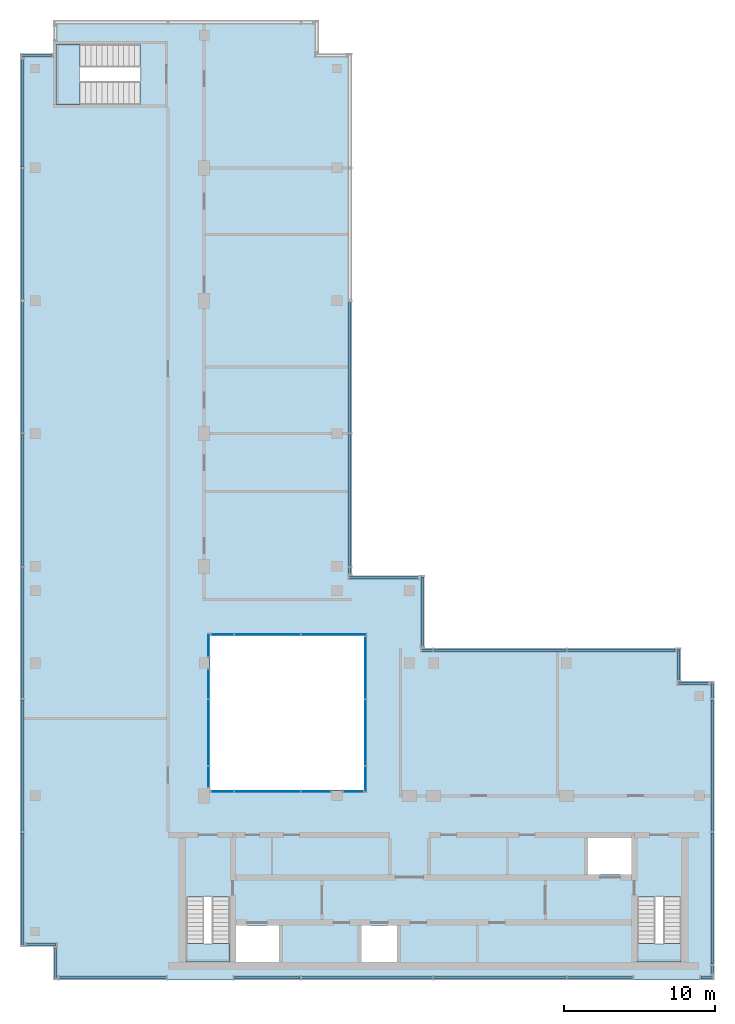
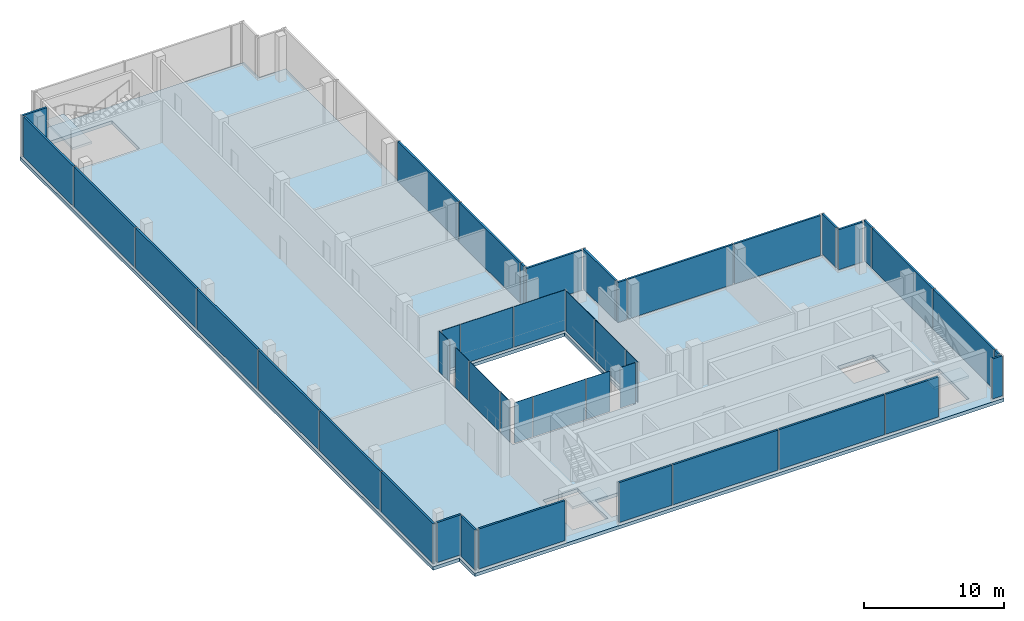
# One storey, part 7 of 11: 44 plates, 4 slabs, 23 elements without a shape of their own.
"""IFC4 building model written with IfcOpenShell, lengths in metres."""

from ifc_helpers import new_model, si_unit, direction, frame, origin, origin_2d, place, context, subcontext, project, spatial, polyline, rectangle, outline, extrude, source, transform, mapped, material, layer, layer_set, type_object, element, aggregate, save


model = new_model("IFC4")

# Units and contexts
model_context = context("Model", 3, precision=1e-05, world=origin(), true_north=direction((0.0, 1.0)))
body_context = subcontext(model_context, "Body", "Model", "MODEL_VIEW")
ifc_project = project(units=[si_unit("LENGTHUNIT", "METRE"), si_unit("AREAUNIT", "SQUARE_METRE"), si_unit("VOLUMEUNIT", "CUBIC_METRE"), si_unit("PLANEANGLEUNIT", "RADIAN"), si_unit("MASSUNIT", "GRAM", prefix="KILO")], contexts=[model_context])

# Site, building, storey
site_placement = place(None, origin())
site = spatial("IfcSite", under=ifc_project, at=site_placement, CompositionType="ELEMENT")
building_placement = place(site_placement, origin())
building = spatial("IfcBuilding", under=site, at=building_placement, Name="Kemantara Hotel Tower", CompositionType="ELEMENT")
storey_placement = place(building_placement, frame((0.0, 0.0, 326.199951171875)))
storey = spatial("IfcBuildingStorey", under=building, at=storey_placement, Name="L82", CompositionType="ELEMENT", Elevation=326.199951171875)

# Slab
ifc_material_1 = material(Name="Concrete fc 40 MPa", Category="concrete")
ifc_layer_1 = layer(ifc_material_1, 0.300048828125)
ifc_layer_set_1 = layer_set([ifc_layer_1], Name="Concrete fc 40 MPa")
slab_type_1 = type_object("IfcSlabType", Name="POST-TENSIONED FLAT PLATE 300", PredefinedType="FLOOR", material=ifc_layer_set_1)
slab_1_placement = place(storey_placement, frame((0.0, 0.0, -0.300048828125)))
element("IfcSlab", 1, at=slab_1_placement, inside=storey, type_object=slab_type_1, Name="FLOOR SLAB L82", PredefinedType="FLOOR", context=body_context, shape_type="SweptSolid", body=[
    extrude(outline(polyline([(22.0, 26.800048828125), (22.0, 61.39990234375), (19.800048828125, 61.39990234375), (19.800048828125, 63.60009765625), (2.199951171875, 63.60009765625), (2.199951171875, 61.39990234375), (0.0, 61.39990234375), (0.0, 2.199951171875), (2.199951171875, 2.199951171875), (2.199951171875, 0.0), (46.0, 0.0), (46.0, 19.800048828125), (43.800048828125, 19.800048828125), (43.800048828125, 22.0), (26.800048828125, 22.0), (26.800048828125, 26.800048828125), (22.0, 26.800048828125)]), holes=[polyline([(14.22509765625, 3.60009765625), (17.175048828125, 3.60009765625), (17.175048828125, 1.199951171875), (14.22509765625, 1.199951171875), (14.22509765625, 3.60009765625)]), polyline([(24.97509765625, 3.60009765625), (24.97509765625, 1.199951171875), (22.625, 1.199951171875), (22.625, 3.60009765625), (24.97509765625, 3.60009765625)]), polyline([(13.89990234375, 1.199951171875), (11.0, 1.199951171875), (11.0, 5.49951171875), (13.89990234375, 5.49951171875), (13.89990234375, 1.199951171875)]), polyline([(43.800048828125, 1.199951171875), (40.89990234375, 1.199951171875), (40.89990234375, 5.49951171875), (43.800048828125, 5.49951171875), (43.800048828125, 1.199951171875)]), polyline([(40.574951171875, 9.39990234375), (40.574951171875, 7.0), (37.625, 7.0), (37.625, 9.39990234375), (40.574951171875, 9.39990234375)]), polyline([(22.800048828125, 22.800048828125), (22.800048828125, 12.60009765625), (12.60009765625, 12.60009765625), (12.60009765625, 22.800048828125), (22.800048828125, 22.800048828125)]), polyline([(2.39990234375, 58.0), (2.39990234375, 62.0), (7.949462890625, 62.0), (7.949462890625, 58.0), (2.39990234375, 58.0)])]), origin(), (0.0, 0.0, 1.0), 0.300048828125),
])

# Stair, slab
stair_type_1 = type_object("IfcStairType", Name="Stair 1200 wide 24 risers of 167 x 280 mm", PredefinedType="HALF_TURN_STAIR", material=ifc_material_1)
stair_1_placement = place(storey_placement, origin())
stair_1 = element("IfcStair", 2, at=stair_1_placement, inside=storey, type_object=stair_type_1, Name="L82 Exit stair ST1", PredefinedType="HALF_TURN_STAIR")
ifc_layer_2 = layer(ifc_material_1, 0.199951171875)
ifc_layer_set_2 = layer_set([ifc_layer_2], Name="Concrete fc 40 MPa")
slab_type_2 = type_object("IfcSlabType", Name="Stair landing 200 mm", PredefinedType="LANDING", material=ifc_layer_set_2)
slab_2_placement = place(storey_placement, frame((0.0, 0.0, 1.800048828125)))
slab_2 = element("IfcSlab", 3, at=slab_2_placement, type_object=slab_type_2, Name="ST1 landing 1", PredefinedType="LANDING", context=body_context, shape_type="SweptSolid", body=[
    extrude(outline(polyline([(11.0, 2.419921875), (11.0, 1.199951171875), (13.89990234375, 1.199951171875), (13.89990234375, 2.419921875), (11.0, 2.419921875)])), origin(), (0.0, 0.0, 1.0), 0.199951171875),
])
aggregate(stair_1, [slab_2])

stair_2_placement = place(storey_placement, origin())
stair_2 = element("IfcStair", 4, at=stair_2_placement, inside=storey, type_object=stair_type_1, Name="L82 Exit stair ST2", PredefinedType="HALF_TURN_STAIR")
slab_3_placement = place(storey_placement, frame((0.0, 0.0, 1.800048828125)))
slab_3 = element("IfcSlab", 5, at=slab_3_placement, type_object=slab_type_2, Name="ST2 landing 1", PredefinedType="LANDING", context=body_context, shape_type="SweptSolid", body=[
    extrude(outline(polyline([(40.89990234375, 2.419921875), (40.89990234375, 1.199951171875), (43.800048828125, 1.199951171875), (43.800048828125, 2.419921875), (40.89990234375, 2.419921875)])), origin(), (0.0, 0.0, 1.0), 0.199951171875),
])
aggregate(stair_2, [slab_3])

stair_type_2 = type_object("IfcStairType", Name="Stair 1550 wide 24 risers of 167 x 360 mm", PredefinedType="HALF_TURN_STAIR", material=ifc_material_1)
stair_3_placement = place(storey_placement, origin())
stair_3 = element("IfcStair", 6, at=stair_3_placement, inside=storey, type_object=stair_type_2, Name="L82 Exit stair ST4", PredefinedType="HALF_TURN_STAIR")
slab_4_placement = place(storey_placement, frame((0.0, 0.0, 1.800048828125)))
slab_4 = element("IfcSlab", 7, at=slab_4_placement, type_object=slab_type_2, Name="ST4 landing 1", PredefinedType="LANDING", context=body_context, shape_type="SweptSolid", body=[
    extrude(outline(polyline([(3.989990234375, 62.0), (2.39990234375, 62.0), (2.39990234375, 58.0), (3.989990234375, 58.0), (3.989990234375, 62.0)])), origin(), (0.0, 0.0, 1.0), 0.199951171875),
])
aggregate(stair_3, [slab_4])

# Curtain wall, plate
ifc_material_2 = material(Name="Aluminium 6063-T6 bronze anodised", Category="aluminium")
curtain_wall_type_1 = type_object("IfcCurtainWallType", Name="CROWN LOUVRE SCREEN WALL", PredefinedType="USERDEFINED", material=ifc_material_2)
curtain_wall_1_placement = place(storey_placement, origin())
curtain_wall_1 = element("IfcCurtainWall", 8, at=curtain_wall_1_placement, inside=storey, type_object=curtain_wall_type_1, Name="CW7 L82 CRN-R12-1", ObjectType="CROWN LOUVRE SCREEN WALL", PredefinedType="USERDEFINED")
ifc_material_3 = material(Name="Bronze anodised aluminium louvre blades 3 mm", Category="aluminium")
ifc_layer_3 = layer(ifc_material_3, 0.159912109375)
ifc_layer_set_3 = layer_set([ifc_layer_3], Name="Bronze anodised aluminium louvre blades 3 mm")
plate_type_1 = type_object("IfcPlateType", Name="CROWN LOUVRE SCREEN WALL PANEL", PredefinedType="CURTAIN_PANEL", material=ifc_layer_set_3)
shared_shape_1 = source(origin(), body_context, "Body", "SweptSolid", [
    extrude(rectangle(XDim=0.75, YDim=0.159912109375, at=origin_2d()), origin(), (0.0, 0.0, 1.0), 3.5),
])
plate_1_placement = place(storey_placement, frame((26.97509765625, 21.85009765625, 0.199951171875), z_axis=(0.0, 0.0, 1.0), x_axis=(-1.0, 0.0, 0.0)))
plate_1 = element("IfcPlate", 9, at=plate_1_placement, type_object=plate_type_1, Name="CW7 louvre panel CRN-R12-1.3", PredefinedType="CURTAIN_PANEL", context=body_context, shape_type="MappedRepresentation", body=[
    mapped(shared_shape_1, transform((0.0, 0.0, 0.0))),
])

# Curtain wall, plates
curtain_wall_2_placement = place(storey_placement, origin())
curtain_wall_2 = element("IfcCurtainWall", 10, at=curtain_wall_2_placement, inside=storey, type_object=curtain_wall_type_1, Name="CW7 L82 CRN-R05-1", ObjectType="CROWN LOUVRE SCREEN WALL", PredefinedType="USERDEFINED")
shared_shape_2 = source(origin(), body_context, "Body", "SweptSolid", [
    extrude(rectangle(XDim=8.699951171875, YDim=0.159912109375, at=origin_2d()), origin(), (0.0, 0.0, 1.0), 3.5),
])
plate_2_placement = place(storey_placement, frame((0.14990234375, 49.39990234375, 0.199951171875), z_axis=(0.0, 0.0, 1.0), x_axis=(0.0, -1.0, 0.0)))
plate_2 = element("IfcPlate", 11, at=plate_2_placement, type_object=plate_type_1, Name="CW7 louvre panel CRN-R05-1.2", PredefinedType="CURTAIN_PANEL", context=body_context, shape_type="MappedRepresentation", body=[
    mapped(shared_shape_2, transform((0.0, 0.0, 0.0))),
])
plate_3_placement = place(storey_placement, frame((0.14990234375, 40.60009765625, 0.199951171875), z_axis=(0.0, 0.0, 1.0), x_axis=(0.0, -1.0, 0.0)))
plate_3 = element("IfcPlate", 12, at=plate_3_placement, type_object=plate_type_1, Name="CW7 louvre panel CRN-R05-1.3", PredefinedType="CURTAIN_PANEL", context=body_context, shape_type="MappedRepresentation", body=[
    mapped(shared_shape_2, transform((0.0, 0.0, 0.0))),
])
plate_4_placement = place(storey_placement, frame((0.14990234375, 31.800048828125, 0.199951171875), z_axis=(0.0, 0.0, 1.0), x_axis=(0.0, -1.0, 0.0)))
plate_4 = element("IfcPlate", 13, at=plate_4_placement, type_object=plate_type_1, Name="CW7 louvre panel CRN-R05-1.4", PredefinedType="CURTAIN_PANEL", context=body_context, shape_type="MappedRepresentation", body=[
    mapped(shared_shape_2, transform((0.0, 0.0, 0.0))),
])
plate_5_placement = place(storey_placement, frame((0.14990234375, 23.0, 0.199951171875), z_axis=(0.0, 0.0, 1.0), x_axis=(0.0, -1.0, 0.0)))
plate_5 = element("IfcPlate", 14, at=plate_5_placement, type_object=plate_type_1, Name="CW7 louvre panel CRN-R05-1.5", PredefinedType="CURTAIN_PANEL", context=body_context, shape_type="MappedRepresentation", body=[
    mapped(shared_shape_2, transform((0.0, 0.0, 0.0))),
])
plate_6_placement = place(storey_placement, frame((0.14990234375, 14.199951171875, 0.199951171875), z_axis=(0.0, 0.0, 1.0), x_axis=(0.0, -1.0, 0.0)))
plate_6 = element("IfcPlate", 15, at=plate_6_placement, type_object=plate_type_1, Name="CW7 louvre panel CRN-R05-1.6", PredefinedType="CURTAIN_PANEL", context=body_context, shape_type="MappedRepresentation", body=[
    mapped(shared_shape_2, transform((0.0, 0.0, 0.0))),
])

curtain_wall_3_placement = place(storey_placement, origin())
curtain_wall_3 = element("IfcCurtainWall", 16, at=curtain_wall_3_placement, inside=storey, type_object=curtain_wall_type_1, Name="CW7 L82 CRN-R08-2", ObjectType="CROWN LOUVRE SCREEN WALL", PredefinedType="USERDEFINED")
plate_7_placement = place(storey_placement, frame((23.0, 0.14990234375, 0.199951171875), z_axis=(0.0, 0.0, 1.0), x_axis=(1.0, 0.0, 0.0)))
plate_7 = element("IfcPlate", 17, at=plate_7_placement, type_object=plate_type_1, Name="CW7 louvre panel CRN-R08-2.2", PredefinedType="CURTAIN_PANEL", context=body_context, shape_type="MappedRepresentation", body=[
    mapped(shared_shape_2, transform((0.0, 0.0, 0.0))),
])
plate_8_placement = place(storey_placement, frame((31.800048828125, 0.14990234375, 0.199951171875), z_axis=(0.0, 0.0, 1.0), x_axis=(1.0, 0.0, 0.0)))
plate_8 = element("IfcPlate", 18, at=plate_8_placement, type_object=plate_type_1, Name="CW7 louvre panel CRN-R08-2.3", PredefinedType="CURTAIN_PANEL", context=body_context, shape_type="MappedRepresentation", body=[
    mapped(shared_shape_2, transform((0.0, 0.0, 0.0))),
])

curtain_wall_4_placement = place(storey_placement, origin())
curtain_wall_4 = element("IfcCurtainWall", 19, at=curtain_wall_4_placement, inside=storey, type_object=curtain_wall_type_1, Name="CW7 L82 CRN-R09-1", ObjectType="CROWN LOUVRE SCREEN WALL", PredefinedType="USERDEFINED")
plate_9_placement = place(storey_placement, frame((45.85009765625, 5.39990234375, 0.199951171875), z_axis=(0.0, 0.0, 1.0), x_axis=(0.0, 1.0, 0.0)))
plate_9 = element("IfcPlate", 20, at=plate_9_placement, type_object=plate_type_1, Name="CW7 louvre panel CRN-R09-1.2", PredefinedType="CURTAIN_PANEL", context=body_context, shape_type="MappedRepresentation", body=[
    mapped(shared_shape_2, transform((0.0, 0.0, 0.0))),
])
plate_10_placement = place(storey_placement, frame((45.85009765625, 14.199951171875, 0.199951171875), z_axis=(0.0, 0.0, 1.0), x_axis=(0.0, 1.0, 0.0)))
plate_10 = element("IfcPlate", 21, at=plate_10_placement, type_object=plate_type_1, Name="CW7 louvre panel CRN-R09-1.3", PredefinedType="CURTAIN_PANEL", context=body_context, shape_type="MappedRepresentation", body=[
    mapped(shared_shape_2, transform((0.0, 0.0, 0.0))),
])

# Plate
plate_11_placement = place(storey_placement, frame((31.800048828125, 21.85009765625, 0.199951171875), z_axis=(0.0, 0.0, 1.0), x_axis=(-1.0, 0.0, 0.0)))
plate_11 = element("IfcPlate", 22, at=plate_11_placement, type_object=plate_type_1, Name="CW7 louvre panel CRN-R12-1.2", PredefinedType="CURTAIN_PANEL", context=body_context, shape_type="MappedRepresentation", body=[
    mapped(shared_shape_2, transform((0.0, 0.0, 0.0))),
])

# Curtain wall, plates
curtain_wall_5_placement = place(storey_placement, origin())
curtain_wall_5 = element("IfcCurtainWall", 23, at=curtain_wall_5_placement, inside=storey, type_object=curtain_wall_type_1, Name="CW7 L82 CRN-R15-1", ObjectType="CROWN LOUVRE SCREEN WALL", PredefinedType="USERDEFINED")
plate_12_placement = place(storey_placement, frame((21.85009765625, 31.800048828125, 0.199951171875), z_axis=(0.0, 0.0, 1.0), x_axis=(0.0, 1.0, 0.0)))
plate_12 = element("IfcPlate", 24, at=plate_12_placement, type_object=plate_type_1, Name="CW7 louvre panel CRN-R15-1.2", PredefinedType="CURTAIN_PANEL", context=body_context, shape_type="MappedRepresentation", body=[
    mapped(shared_shape_2, transform((0.0, 0.0, 0.0))),
])
plate_13_placement = place(storey_placement, frame((21.85009765625, 40.60009765625, 0.199951171875), z_axis=(0.0, 0.0, 1.0), x_axis=(0.0, 1.0, 0.0)))
plate_13 = element("IfcPlate", 25, at=plate_13_placement, type_object=plate_type_1, Name="CW7 louvre panel CRN-R15-1.3", PredefinedType="CURTAIN_PANEL", context=body_context, shape_type="MappedRepresentation", body=[
    mapped(shared_shape_2, transform((0.0, 0.0, 0.0))),
])

# Plate
shared_shape_3 = source(origin(), body_context, "Body", "SweptSolid", [
    extrude(rectangle(XDim=7.449951171875, YDim=0.159912109375, at=origin_2d()), origin(), (0.0, 0.0, 1.0), 3.5),
])
plate_14_placement = place(storey_placement, frame((0.14990234375, 6.02490234375, 0.199951171875), z_axis=(0.0, 0.0, 1.0), x_axis=(0.0, -1.0, 0.0)))
plate_14 = element("IfcPlate", 26, at=plate_14_placement, type_object=plate_type_1, Name="CW7 louvre panel CRN-R05-1.7", PredefinedType="CURTAIN_PANEL", context=body_context, shape_type="MappedRepresentation", body=[
    mapped(shared_shape_3, transform((0.0, 0.0, 0.0))),
])

shared_shape_4 = source(origin(), body_context, "Body", "SweptSolid", [
    extrude(rectangle(XDim=7.14990234375, YDim=0.159912109375, at=origin_2d()), origin(), (0.0, 0.0, 1.0), 3.5),
])
plate_15_placement = place(storey_placement, frame((0.14990234375, 57.425048828125, 0.199951171875), z_axis=(0.0, 0.0, 1.0), x_axis=(0.0, -1.0, 0.0)))
plate_15 = element("IfcPlate", 27, at=plate_15_placement, type_object=plate_type_1, Name="CW7 louvre panel CRN-R05-1.1", PredefinedType="CURTAIN_PANEL", context=body_context, shape_type="MappedRepresentation", body=[
    mapped(shared_shape_4, transform((0.0, 0.0, 0.0))),
])

aggregate(curtain_wall_2, [plate_15, plate_2, plate_3, plate_4, plate_5, plate_6, plate_14])

plate_16_placement = place(storey_placement, frame((39.824951171875, 21.85009765625, 0.199951171875), z_axis=(0.0, 0.0, 1.0), x_axis=(-1.0, 0.0, 0.0)))
plate_16 = element("IfcPlate", 28, at=plate_16_placement, type_object=plate_type_1, Name="CW7 louvre panel CRN-R12-1.1", PredefinedType="CURTAIN_PANEL", context=body_context, shape_type="MappedRepresentation", body=[
    mapped(shared_shape_4, transform((0.0, 0.0, 0.0))),
])

aggregate(curtain_wall_1, [plate_16, plate_11, plate_1])

# Curtain wall, plate
curtain_wall_6_placement = place(storey_placement, origin())
curtain_wall_6 = element("IfcCurtainWall", 29, at=curtain_wall_6_placement, inside=storey, type_object=curtain_wall_type_1, Name="CW7 L82 CRN-R08-1", ObjectType="CROWN LOUVRE SCREEN WALL", PredefinedType="USERDEFINED")
shared_shape_5 = source(origin(), body_context, "Body", "SweptSolid", [
    extrude(rectangle(XDim=7.10009765625, YDim=0.159912109375, at=origin_2d()), origin(), (0.0, 0.0, 1.0), 3.5),
])
plate_17_placement = place(storey_placement, frame((6.14990234375, 0.14990234375, 0.199951171875), z_axis=(0.0, 0.0, 1.0), x_axis=(1.0, 0.0, 0.0)))
plate_17 = element("IfcPlate", 30, at=plate_17_placement, type_object=plate_type_1, Name="CW7 louvre panel CRN-R08-1.1", PredefinedType="CURTAIN_PANEL", context=body_context, shape_type="MappedRepresentation", body=[
    mapped(shared_shape_5, transform((0.0, 0.0, 0.0))),
])
aggregate(curtain_wall_6, [plate_17])

# Plate
shared_shape_6 = source(origin(), body_context, "Body", "SweptSolid", [
    extrude(rectangle(XDim=4.35009765625, YDim=0.159912109375, at=origin_2d()), origin(), (0.0, 0.0, 1.0), 3.5),
])
plate_18_placement = place(storey_placement, frame((16.375, 0.14990234375, 0.199951171875), z_axis=(0.0, 0.0, 1.0), x_axis=(1.0, 0.0, 0.0)))
plate_18 = element("IfcPlate", 31, at=plate_18_placement, type_object=plate_type_1, Name="CW7 louvre panel CRN-R08-2.1", PredefinedType="CURTAIN_PANEL", context=body_context, shape_type="MappedRepresentation", body=[
    mapped(shared_shape_6, transform((0.0, 0.0, 0.0))),
])

plate_19_placement = place(storey_placement, frame((38.425048828125, 0.14990234375, 0.199951171875), z_axis=(0.0, 0.0, 1.0), x_axis=(1.0, 0.0, 0.0)))
plate_19 = element("IfcPlate", 32, at=plate_19_placement, type_object=plate_type_1, Name="CW7 louvre panel CRN-R08-2.4", PredefinedType="CURTAIN_PANEL", context=body_context, shape_type="MappedRepresentation", body=[
    mapped(shared_shape_6, transform((0.0, 0.0, 0.0))),
])

aggregate(curtain_wall_3, [plate_18, plate_7, plate_8, plate_19])

# Curtain wall, plate
curtain_wall_7_placement = place(storey_placement, origin())
curtain_wall_7 = element("IfcCurtainWall", 33, at=curtain_wall_7_placement, inside=storey, type_object=curtain_wall_type_1, Name="CW7 L82 CRN-R08-3", ObjectType="CROWN LOUVRE SCREEN WALL", PredefinedType="USERDEFINED")
shared_shape_7 = source(origin(), body_context, "Body", "SweptSolid", [
    extrude(rectangle(XDim=0.800048828125, YDim=0.159912109375, at=origin_2d()), origin(), (0.0, 0.0, 1.0), 3.5),
])
plate_20_placement = place(storey_placement, frame((45.5, 0.14990234375, 0.199951171875), z_axis=(0.0, 0.0, 1.0), x_axis=(1.0, 0.0, 0.0)))
plate_20 = element("IfcPlate", 34, at=plate_20_placement, type_object=plate_type_1, Name="CW7 louvre panel CRN-R08-3.1", PredefinedType="CURTAIN_PANEL", context=body_context, shape_type="MappedRepresentation", body=[
    mapped(shared_shape_7, transform((0.0, 0.0, 0.0))),
])
aggregate(curtain_wall_7, [plate_20])

# Plate
shared_shape_8 = source(origin(), body_context, "Body", "SweptSolid", [
    extrude(rectangle(XDim=0.550048828125, YDim=0.159912109375, at=origin_2d()), origin(), (0.0, 0.0, 1.0), 3.5),
])
plate_21_placement = place(storey_placement, frame((45.85009765625, 0.675048828125, 0.199951171875), z_axis=(0.0, 0.0, 1.0), x_axis=(0.0, 1.0, 0.0)))
plate_21 = element("IfcPlate", 35, at=plate_21_placement, type_object=plate_type_1, Name="CW7 louvre panel CRN-R09-1.1", PredefinedType="CURTAIN_PANEL", context=body_context, shape_type="MappedRepresentation", body=[
    mapped(shared_shape_8, transform((0.0, 0.0, 0.0))),
])

shared_shape_9 = source(origin(), body_context, "Body", "SweptSolid", [
    extrude(rectangle(XDim=1.050048828125, YDim=0.159912109375, at=origin_2d()), origin(), (0.0, 0.0, 1.0), 3.5),
])
plate_22_placement = place(storey_placement, frame((45.85009765625, 19.175048828125, 0.199951171875), z_axis=(0.0, 0.0, 1.0), x_axis=(0.0, 1.0, 0.0)))
plate_22 = element("IfcPlate", 36, at=plate_22_placement, type_object=plate_type_1, Name="CW7 louvre panel CRN-R09-1.4", PredefinedType="CURTAIN_PANEL", context=body_context, shape_type="MappedRepresentation", body=[
    mapped(shared_shape_9, transform((0.0, 0.0, 0.0))),
])

aggregate(curtain_wall_4, [plate_21, plate_9, plate_10, plate_22])

# Curtain wall, plate
curtain_wall_8_placement = place(storey_placement, origin())
curtain_wall_8 = element("IfcCurtainWall", 37, at=curtain_wall_8_placement, inside=storey, type_object=curtain_wall_type_1, Name="CW7 L82 CRN-R13-1", ObjectType="CROWN LOUVRE SCREEN WALL", PredefinedType="USERDEFINED")
shared_shape_10 = source(origin(), body_context, "Body", "SweptSolid", [
    extrude(rectangle(XDim=4.60009765625, YDim=0.159912109375, at=origin_2d()), origin(), (0.0, 0.0, 1.0), 3.5),
])
plate_23_placement = place(storey_placement, frame((26.64990234375, 24.39990234375, 0.199951171875), z_axis=(0.0, 0.0, 1.0), x_axis=(0.0, 1.0, 0.0)))
plate_23 = element("IfcPlate", 38, at=plate_23_placement, type_object=plate_type_1, Name="CW7 louvre panel CRN-R13-1.1", PredefinedType="CURTAIN_PANEL", context=body_context, shape_type="MappedRepresentation", body=[
    mapped(shared_shape_10, transform((0.0, 0.0, 0.0))),
])
aggregate(curtain_wall_8, [plate_23])

curtain_wall_9_placement = place(storey_placement, origin())
curtain_wall_9 = element("IfcCurtainWall", 39, at=curtain_wall_9_placement, inside=storey, type_object=curtain_wall_type_1, Name="CW7 L82 CRN-R14-1", ObjectType="CROWN LOUVRE SCREEN WALL", PredefinedType="USERDEFINED")
plate_24_placement = place(storey_placement, frame((24.10009765625, 26.64990234375, 0.199951171875), z_axis=(0.0, 0.0, 1.0), x_axis=(-1.0, 0.0, 0.0)))
plate_24 = element("IfcPlate", 40, at=plate_24_placement, type_object=plate_type_1, Name="CW7 louvre panel CRN-R14-1.1", PredefinedType="CURTAIN_PANEL", context=body_context, shape_type="MappedRepresentation", body=[
    mapped(shared_shape_10, transform((0.0, 0.0, 0.0))),
])
aggregate(curtain_wall_9, [plate_24])

# Plate
shared_shape_11 = source(origin(), body_context, "Body", "SweptSolid", [
    extrude(rectangle(XDim=0.449951171875, YDim=0.159912109375, at=origin_2d()), origin(), (0.0, 0.0, 1.0), 3.5),
])
plate_25_placement = place(storey_placement, frame((21.85009765625, 27.125, 0.199951171875), z_axis=(0.0, 0.0, 1.0), x_axis=(0.0, 1.0, 0.0)))
plate_25 = element("IfcPlate", 41, at=plate_25_placement, type_object=plate_type_1, Name="CW7 louvre panel CRN-R15-1.1", PredefinedType="CURTAIN_PANEL", context=body_context, shape_type="MappedRepresentation", body=[
    mapped(shared_shape_11, transform((0.0, 0.0, 0.0))),
])

aggregate(curtain_wall_5, [plate_25, plate_12, plate_13])

# Curtain wall, plate
curtain_wall_10_placement = place(storey_placement, origin())
curtain_wall_10 = element("IfcCurtainWall", 42, at=curtain_wall_10_placement, inside=storey, type_object=curtain_wall_type_1, Name="CW7 L82 CRN-R04-1", ObjectType="CROWN LOUVRE SCREEN WALL", PredefinedType="USERDEFINED")
shared_shape_12 = source(origin(), body_context, "Body", "SweptSolid", [
    extrude(rectangle(XDim=2.0, YDim=0.159912109375, at=origin_2d()), origin(), (0.0, 0.0, 1.0), 3.5),
])
plate_26_placement = place(storey_placement, frame((1.10009765625, 61.25, 0.199951171875), z_axis=(0.0, 0.0, 1.0), x_axis=(-1.0, 0.0, 0.0)))
plate_26 = element("IfcPlate", 43, at=plate_26_placement, type_object=plate_type_1, Name="CW7 louvre panel CRN-R04-1.1", PredefinedType="CURTAIN_PANEL", context=body_context, shape_type="MappedRepresentation", body=[
    mapped(shared_shape_12, transform((0.0, 0.0, 0.0))),
])
aggregate(curtain_wall_10, [plate_26])

curtain_wall_11_placement = place(storey_placement, origin())
curtain_wall_11 = element("IfcCurtainWall", 44, at=curtain_wall_11_placement, inside=storey, type_object=curtain_wall_type_1, Name="CW7 L82 CRN-R06-1", ObjectType="CROWN LOUVRE SCREEN WALL", PredefinedType="USERDEFINED")
plate_27_placement = place(storey_placement, frame((1.39990234375, 2.35009765625, 0.199951171875), z_axis=(0.0, 0.0, 1.0), x_axis=(1.0, 0.0, 0.0)))
plate_27 = element("IfcPlate", 45, at=plate_27_placement, type_object=plate_type_1, Name="CW7 louvre panel CRN-R06-1.1", PredefinedType="CURTAIN_PANEL", context=body_context, shape_type="MappedRepresentation", body=[
    mapped(shared_shape_12, transform((0.0, 0.0, 0.0))),
])
aggregate(curtain_wall_11, [plate_27])

curtain_wall_12_placement = place(storey_placement, origin())
curtain_wall_12 = element("IfcCurtainWall", 46, at=curtain_wall_12_placement, inside=storey, type_object=curtain_wall_type_1, Name="CW7 L82 CRN-R07-1", ObjectType="CROWN LOUVRE SCREEN WALL", PredefinedType="USERDEFINED")
plate_28_placement = place(storey_placement, frame((2.35009765625, 1.10009765625, 0.199951171875), z_axis=(0.0, 0.0, 1.0), x_axis=(0.0, -1.0, 0.0)))
plate_28 = element("IfcPlate", 47, at=plate_28_placement, type_object=plate_type_1, Name="CW7 louvre panel CRN-R07-1.1", PredefinedType="CURTAIN_PANEL", context=body_context, shape_type="MappedRepresentation", body=[
    mapped(shared_shape_12, transform((0.0, 0.0, 0.0))),
])
aggregate(curtain_wall_12, [plate_28])

curtain_wall_13_placement = place(storey_placement, origin())
curtain_wall_13 = element("IfcCurtainWall", 48, at=curtain_wall_13_placement, inside=storey, type_object=curtain_wall_type_1, Name="CW7 L82 CRN-R10-1", ObjectType="CROWN LOUVRE SCREEN WALL", PredefinedType="USERDEFINED")
plate_29_placement = place(storey_placement, frame((44.60009765625, 19.64990234375, 0.199951171875), z_axis=(0.0, 0.0, 1.0), x_axis=(-1.0, 0.0, 0.0)))
plate_29 = element("IfcPlate", 49, at=plate_29_placement, type_object=plate_type_1, Name="CW7 louvre panel CRN-R10-1.1", PredefinedType="CURTAIN_PANEL", context=body_context, shape_type="MappedRepresentation", body=[
    mapped(shared_shape_12, transform((0.0, 0.0, 0.0))),
])
aggregate(curtain_wall_13, [plate_29])

curtain_wall_14_placement = place(storey_placement, origin())
curtain_wall_14 = element("IfcCurtainWall", 50, at=curtain_wall_14_placement, inside=storey, type_object=curtain_wall_type_1, Name="CW7 L82 CRN-R11-1", ObjectType="CROWN LOUVRE SCREEN WALL", PredefinedType="USERDEFINED")
plate_30_placement = place(storey_placement, frame((43.64990234375, 20.89990234375, 0.199951171875), z_axis=(0.0, 0.0, 1.0), x_axis=(0.0, 1.0, 0.0)))
plate_30 = element("IfcPlate", 51, at=plate_30_placement, type_object=plate_type_1, Name="CW7 louvre panel CRN-R11-1.1", PredefinedType="CURTAIN_PANEL", context=body_context, shape_type="MappedRepresentation", body=[
    mapped(shared_shape_12, transform((0.0, 0.0, 0.0))),
])
aggregate(curtain_wall_14, [plate_30])

ifc_material_4 = material(Name="Clear low-iron laminated glass 36 mm", Category="glass")
curtain_wall_type_2 = type_object("IfcCurtainWallType", Name="ATRIUM GLAZING WALL", PredefinedType="USERDEFINED", material=ifc_material_4)
curtain_wall_15_placement = place(storey_placement, origin())
curtain_wall_15 = element("IfcCurtainWall", 52, at=curtain_wall_15_placement, inside=storey, type_object=curtain_wall_type_2, Name="CW5 L82 ATR-R0-1", ObjectType="ATRIUM GLAZING WALL", PredefinedType="USERDEFINED")
ifc_layer_4 = layer(ifc_material_4, 0.035888671875)
ifc_layer_set_4 = layer_set([ifc_layer_4], Name="Clear low-iron laminated glass 36 mm")
plate_type_2 = type_object("IfcPlateType", Name="ATRIUM GLAZING WALL PANEL", PredefinedType="CURTAIN_PANEL", material=ifc_layer_set_4)
shared_shape_13 = source(origin(), body_context, "Body", "SweptSolid", [
    extrude(rectangle(XDim=1.487548828125, YDim=0.035888671875, at=origin_2d()), origin(), (0.0, 0.0, 1.0), 3.550048828125),
])
plate_31_placement = place(storey_placement, frame((13.418701171875, 22.89990234375, 0.14990234375), z_axis=(0.0, 0.0, 1.0), x_axis=(1.0, 0.0, 0.0)))
plate_31 = element("IfcPlate", 53, at=plate_31_placement, type_object=plate_type_2, Name="CW5 glass panel ATR-R0-1.1", PredefinedType="CURTAIN_PANEL", context=body_context, shape_type="MappedRepresentation", body=[
    mapped(shared_shape_13, transform((0.0, 0.0, 0.0))),
])

curtain_wall_16_placement = place(storey_placement, origin())
curtain_wall_16 = element("IfcCurtainWall", 54, at=curtain_wall_16_placement, inside=storey, type_object=curtain_wall_type_2, Name="CW5 L82 ATR-R2-2", ObjectType="ATRIUM GLAZING WALL", PredefinedType="USERDEFINED")
plate_32_placement = place(storey_placement, frame((13.418701171875, 12.5, 0.14990234375), z_axis=(0.0, 0.0, 1.0), x_axis=(-1.0, 0.0, 0.0)))
plate_32 = element("IfcPlate", 55, at=plate_32_placement, type_object=plate_type_2, Name="CW5 glass panel ATR-R2-2.3", PredefinedType="CURTAIN_PANEL", context=body_context, shape_type="MappedRepresentation", body=[
    mapped(shared_shape_13, transform((0.0, 0.0, 0.0))),
])

# Plate
shared_shape_14 = source(origin(), body_context, "Body", "SweptSolid", [
    extrude(rectangle(XDim=4.324951171875, YDim=0.035888671875, at=origin_2d()), origin(), (0.0, 0.0, 1.0), 3.550048828125),
])
plate_33_placement = place(storey_placement, frame((16.39990234375, 22.89990234375, 0.14990234375), z_axis=(0.0, 0.0, 1.0), x_axis=(1.0, 0.0, 0.0)))
plate_33 = element("IfcPlate", 56, at=plate_33_placement, type_object=plate_type_2, Name="CW5 glass panel ATR-R0-1.2", PredefinedType="CURTAIN_PANEL", context=body_context, shape_type="MappedRepresentation", body=[
    mapped(shared_shape_14, transform((0.0, 0.0, 0.0))),
])

# Curtain wall, plate
curtain_wall_17_placement = place(storey_placement, origin())
curtain_wall_17 = element("IfcCurtainWall", 57, at=curtain_wall_17_placement, inside=storey, type_object=curtain_wall_type_2, Name="CW5 L82 ATR-R1-1", ObjectType="ATRIUM GLAZING WALL", PredefinedType="USERDEFINED")
plate_34_placement = place(storey_placement, frame((22.89990234375, 16.39990234375, 0.14990234375), z_axis=(0.0, 0.0, 1.0), x_axis=(0.0, -1.0, 0.0)))
plate_34 = element("IfcPlate", 58, at=plate_34_placement, type_object=plate_type_2, Name="CW5 glass panel ATR-R1-1.2", PredefinedType="CURTAIN_PANEL", context=body_context, shape_type="MappedRepresentation", body=[
    mapped(shared_shape_14, transform((0.0, 0.0, 0.0))),
])

# Plate
plate_35_placement = place(storey_placement, frame((16.39990234375, 12.5, 0.14990234375), z_axis=(0.0, 0.0, 1.0), x_axis=(-1.0, 0.0, 0.0)))
plate_35 = element("IfcPlate", 59, at=plate_35_placement, type_object=plate_type_2, Name="CW5 glass panel ATR-R2-2.2", PredefinedType="CURTAIN_PANEL", context=body_context, shape_type="MappedRepresentation", body=[
    mapped(shared_shape_14, transform((0.0, 0.0, 0.0))),
])

# Curtain wall, plate
curtain_wall_18_placement = place(storey_placement, origin())
curtain_wall_18 = element("IfcCurtainWall", 60, at=curtain_wall_18_placement, inside=storey, type_object=curtain_wall_type_2, Name="CW5 L82 ATR-R3-1", ObjectType="ATRIUM GLAZING WALL", PredefinedType="USERDEFINED")
plate_36_placement = place(storey_placement, frame((12.5, 16.39990234375, 0.14990234375), z_axis=(0.0, 0.0, 1.0), x_axis=(0.0, 1.0, 0.0)))
plate_36 = element("IfcPlate", 61, at=plate_36_placement, type_object=plate_type_2, Name="CW5 glass panel ATR-R3-1.2", PredefinedType="CURTAIN_PANEL", context=body_context, shape_type="MappedRepresentation", body=[
    mapped(shared_shape_14, transform((0.0, 0.0, 0.0))),
])

# Plate
shared_shape_15 = source(origin(), body_context, "Body", "SweptSolid", [
    extrude(rectangle(XDim=4.28759765625, YDim=0.035888671875, at=origin_2d()), origin(), (0.0, 0.0, 1.0), 3.550048828125),
])
plate_37_placement = place(storey_placement, frame((20.78125, 22.89990234375, 0.14990234375), z_axis=(0.0, 0.0, 1.0), x_axis=(1.0, 0.0, 0.0)))
plate_37 = element("IfcPlate", 62, at=plate_37_placement, type_object=plate_type_2, Name="CW5 glass panel ATR-R0-1.3", PredefinedType="CURTAIN_PANEL", context=body_context, shape_type="MappedRepresentation", body=[
    mapped(shared_shape_15, transform((0.0, 0.0, 0.0))),
])

aggregate(curtain_wall_15, [plate_31, plate_33, plate_37])

shared_shape_16 = source(origin(), body_context, "Body", "SweptSolid", [
    extrude(rectangle(XDim=4.08740234375, YDim=0.035888671875, at=origin_2d()), origin(), (0.0, 0.0, 1.0), 3.550048828125),
])
plate_38_placement = place(storey_placement, frame((22.89990234375, 20.68115234375, 0.14990234375), z_axis=(0.0, 0.0, 1.0), x_axis=(0.0, -1.0, 0.0)))
plate_38 = element("IfcPlate", 63, at=plate_38_placement, type_object=plate_type_2, Name="CW5 glass panel ATR-R1-1.1", PredefinedType="CURTAIN_PANEL", context=body_context, shape_type="MappedRepresentation", body=[
    mapped(shared_shape_16, transform((0.0, 0.0, 0.0))),
])

shared_shape_17 = source(origin(), body_context, "Body", "SweptSolid", [
    extrude(rectangle(XDim=1.6875, YDim=0.035888671875, at=origin_2d()), origin(), (0.0, 0.0, 1.0), 3.550048828125),
])
plate_39_placement = place(storey_placement, frame((22.89990234375, 13.31884765625, 0.14990234375), z_axis=(0.0, 0.0, 1.0), x_axis=(0.0, -1.0, 0.0)))
plate_39 = element("IfcPlate", 64, at=plate_39_placement, type_object=plate_type_2, Name="CW5 glass panel ATR-R1-1.3", PredefinedType="CURTAIN_PANEL", context=body_context, shape_type="MappedRepresentation", body=[
    mapped(shared_shape_17, transform((0.0, 0.0, 0.0))),
])

aggregate(curtain_wall_17, [plate_38, plate_34, plate_39])

# Curtain wall, plate
curtain_wall_19_placement = place(storey_placement, origin())
curtain_wall_19 = element("IfcCurtainWall", 65, at=curtain_wall_19_placement, inside=storey, type_object=curtain_wall_type_2, Name="CW5 L82 ATR-R2-1", ObjectType="ATRIUM GLAZING WALL", PredefinedType="USERDEFINED")
shared_shape_18 = source(origin(), body_context, "Body", "SweptSolid", [
    extrude(rectangle(XDim=1.300048828125, YDim=0.035888671875, at=origin_2d()), origin(), (0.0, 0.0, 1.0), 3.550048828125),
])
plate_40_placement = place(storey_placement, frame((22.074951171875, 12.5, 0.14990234375), z_axis=(0.0, 0.0, 1.0), x_axis=(-1.0, 0.0, 0.0)))
plate_40 = element("IfcPlate", 66, at=plate_40_placement, type_object=plate_type_2, Name="CW5 glass panel ATR-R2-1.1", PredefinedType="CURTAIN_PANEL", context=body_context, shape_type="MappedRepresentation", body=[
    mapped(shared_shape_18, transform((0.0, 0.0, 0.0))),
])
aggregate(curtain_wall_19, [plate_40])

# Plate
shared_shape_19 = source(origin(), body_context, "Body", "SweptSolid", [
    extrude(rectangle(XDim=1.9375, YDim=0.035888671875, at=origin_2d()), origin(), (0.0, 0.0, 1.0), 3.550048828125),
])
plate_41_placement = place(storey_placement, frame((19.606201171875, 12.5, 0.14990234375), z_axis=(0.0, 0.0, 1.0), x_axis=(-1.0, 0.0, 0.0)))
plate_41 = element("IfcPlate", 67, at=plate_41_placement, type_object=plate_type_2, Name="CW5 glass panel ATR-R2-2.1", PredefinedType="CURTAIN_PANEL", context=body_context, shape_type="MappedRepresentation", body=[
    mapped(shared_shape_19, transform((0.0, 0.0, 0.0))),
])

aggregate(curtain_wall_16, [plate_41, plate_35, plate_32])

plate_42_placement = place(storey_placement, frame((12.5, 19.606201171875, 0.14990234375), z_axis=(0.0, 0.0, 1.0), x_axis=(0.0, 1.0, 0.0)))
plate_42 = element("IfcPlate", 68, at=plate_42_placement, type_object=plate_type_2, Name="CW5 glass panel ATR-R3-1.3", PredefinedType="CURTAIN_PANEL", context=body_context, shape_type="MappedRepresentation", body=[
    mapped(shared_shape_19, transform((0.0, 0.0, 0.0))),
])

shared_shape_20 = source(origin(), body_context, "Body", "SweptSolid", [
    extrude(rectangle(XDim=1.387451171875, YDim=0.035888671875, at=origin_2d()), origin(), (0.0, 0.0, 1.0), 3.550048828125),
])
plate_43_placement = place(storey_placement, frame((12.5, 13.46875, 0.14990234375), z_axis=(0.0, 0.0, 1.0), x_axis=(0.0, 1.0, 0.0)))
plate_43 = element("IfcPlate", 69, at=plate_43_placement, type_object=plate_type_2, Name="CW5 glass panel ATR-R3-1.1", PredefinedType="CURTAIN_PANEL", context=body_context, shape_type="MappedRepresentation", body=[
    mapped(shared_shape_20, transform((0.0, 0.0, 0.0))),
])

aggregate(curtain_wall_18, [plate_43, plate_36, plate_42])

# Curtain wall, plate
curtain_wall_20_placement = place(storey_placement, origin())
curtain_wall_20 = element("IfcCurtainWall", 70, at=curtain_wall_20_placement, inside=storey, type_object=curtain_wall_type_2, Name="CW5 L82 ATR-R3-2", ObjectType="ATRIUM GLAZING WALL", PredefinedType="USERDEFINED")
shared_shape_21 = source(origin(), body_context, "Body", "SweptSolid", [
    extrude(rectangle(XDim=1.5, YDim=0.035888671875, at=origin_2d()), origin(), (0.0, 0.0, 1.0), 3.550048828125),
])
plate_44_placement = place(storey_placement, frame((12.5, 22.175048828125, 0.14990234375), z_axis=(0.0, 0.0, 1.0), x_axis=(0.0, 1.0, 0.0)))
plate_44 = element("IfcPlate", 71, at=plate_44_placement, type_object=plate_type_2, Name="CW5 glass panel ATR-R3-2.1", PredefinedType="CURTAIN_PANEL", context=body_context, shape_type="MappedRepresentation", body=[
    mapped(shared_shape_21, transform((0.0, 0.0, 0.0))),
])
aggregate(curtain_wall_20, [plate_44])

save(model, "model.ifc")
